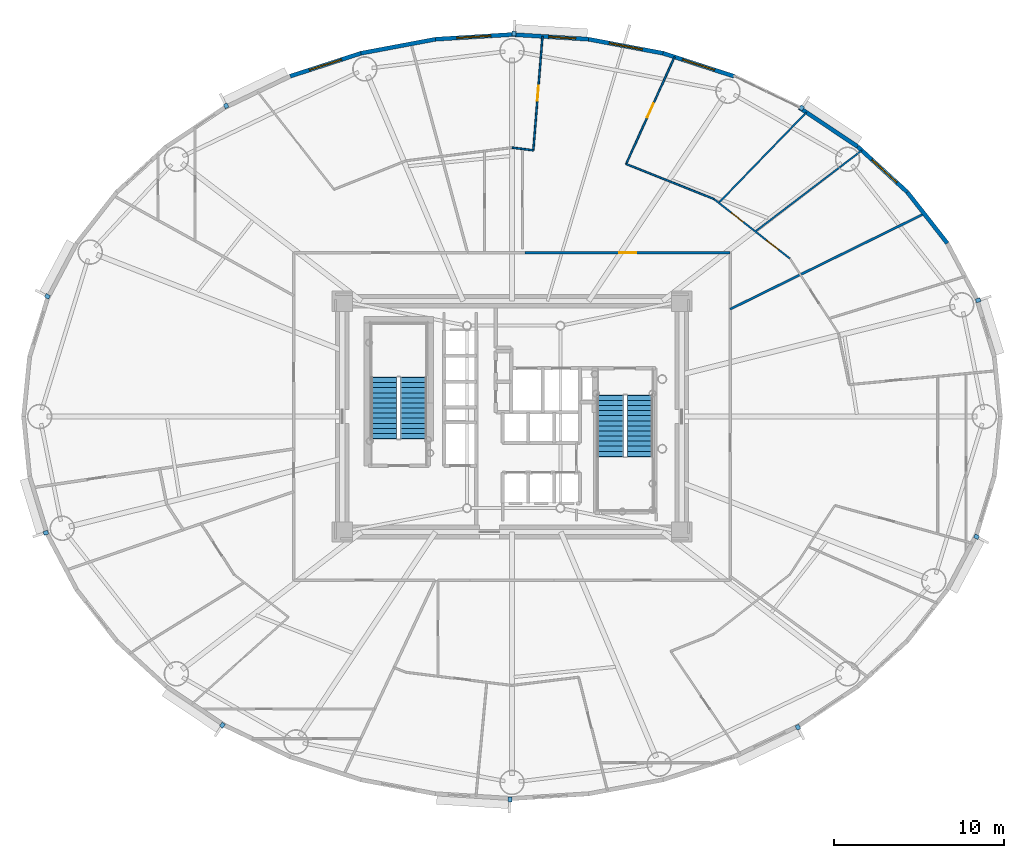
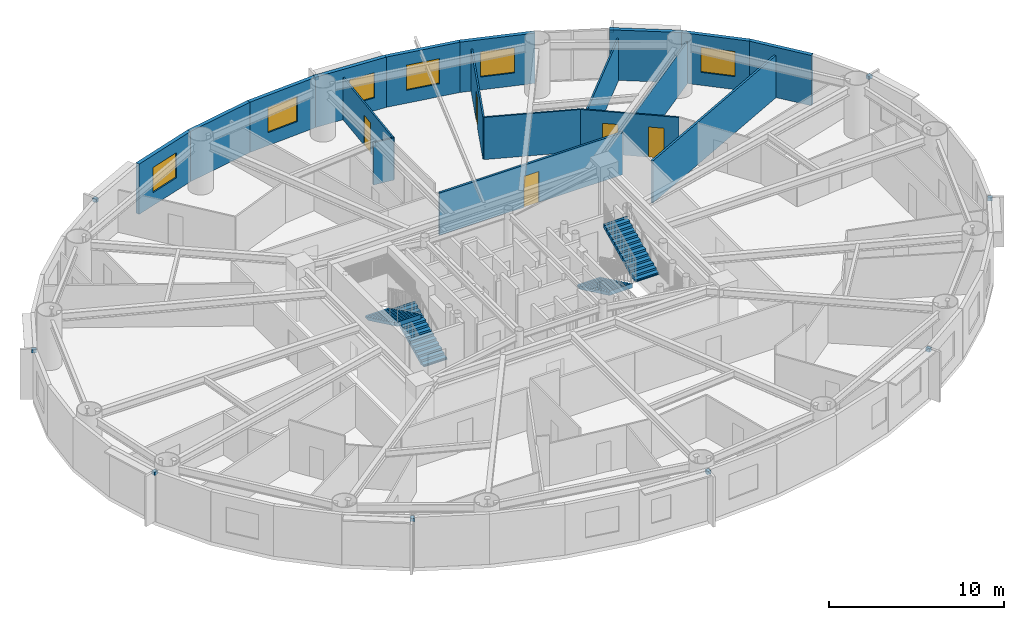
# One storey, part 11 of 16: 18 walls, 10 discrete accessories, 6 windows, 5 doors, 4 stair flights, 11 openings, 2 elements without a shape of their own.
"""IFC4 building model written with IfcOpenShell, lengths in metres."""

from ifc_helpers import new_model, si_unit, direction, frame, frame_2d, origin, origin_2d, place, context, subcontext, project, spatial, polyline, rectangle, outline, extrude, source, transform, mapped, material, layer, layer_set, type_object, element, fill, aggregate, save


model = new_model("IFC4")

# Units and contexts
model_context = context("Model", 3, precision=1e-05, world=origin(), true_north=direction((0.0, 1.0)))
body_context = subcontext(model_context, "Body", "Model", "MODEL_VIEW")
ifc_project = project(units=[si_unit("LENGTHUNIT", "METRE"), si_unit("AREAUNIT", "SQUARE_METRE"), si_unit("VOLUMEUNIT", "CUBIC_METRE"), si_unit("PLANEANGLEUNIT", "RADIAN"), si_unit("MASSUNIT", "GRAM", prefix="KILO")], contexts=[model_context])

# Site, building, storey
site_placement = place(None, origin())
site = spatial("IfcSite", under=ifc_project, at=site_placement, CompositionType="ELEMENT")
building_placement = place(site_placement, origin())
building = spatial("IfcBuilding", under=site, at=building_placement, Name="Linh Dai School and Residence Tower", CompositionType="ELEMENT")
storey_placement = place(building_placement, frame((0.0, 0.0, 138.449951171875)))
storey = spatial("IfcBuildingStorey", under=building, at=storey_placement, Name="L33", CompositionType="ELEMENT", Elevation=138.449951171875)

# Wall
ifc_material_1 = material(Name="Precast Concrete B45 (C35/45)", Category="concrete")
ifc_layer_1 = layer(ifc_material_1, 0.239990234375)
ifc_layer_set_1 = layer_set([ifc_layer_1], Name="Precast Concrete B45 (C35/45)")
wall_type_1 = type_object("IfcWallType", Name="EW-TC-240", PredefinedType="SOLIDWALL", material=ifc_layer_set_1)
wall_1_placement = place(storey_placement, frame((59.2890625, 40.216552734375, 0.0), z_axis=(0.0, 0.0, 1.0), x_axis=(0.616272103517, -0.787533297345, 0.0)))
element("IfcWall", 1, at=wall_1_placement, inside=storey, type_object=wall_type_1, Name="L33 Terracotta Exterior Wall 04", PredefinedType="SOLIDWALL", context=body_context, shape_type="SweptSolid", body=[
    extrude(rectangle(XDim=3.8232421875, YDim=0.239990234375, at=frame_2d((1.91162109375, 0.0))), origin(), (0.0, 0.0, 1.0), 3.5),
])

# Wall, opening, window
wall_2_placement = place(storey_placement, frame((56.3583984375, 42.9033203125, 0.0), z_axis=(0.0, 0.0, 1.0), x_axis=(0.737113356241, -0.675769117414, 0.0)))
wall_2 = element("IfcWall", 2, at=wall_2_placement, inside=storey, type_object=wall_type_1, Name="L33 Terracotta Exterior Wall 05", PredefinedType="SOLIDWALL", context=body_context, shape_type="SweptSolid", body=[
    extrude(rectangle(XDim=3.975830078125, YDim=0.239990234375, at=frame_2d((1.98779296875, 0.0))), origin(), (0.0, 0.0, 1.0), 3.5),
])
opening_1_placement = place(wall_2_placement, frame((1.140625, 0.0, 0.89990234375)))
opening_1 = element("IfcOpeningElement", 3, at=opening_1_placement, cuts=wall_2, Name="Opening W1", PredefinedType="OPENING", context=body_context, shape_type="SweptSolid", body=[
    extrude(rectangle(XDim=2.0, YDim=1.75, at=origin_2d()), frame((1.0, 0.1298828125, 0.875), z_axis=(0.0, -1.0, 0.0), x_axis=(1.0, 0.0, 0.0)), (0.0, 0.0, 1.0), 0.260009765625),
])
ifc_material_2 = material(Name="Double Low-E Insulated Glazing", Category="glass")
window_type_1 = type_object("IfcWindowType", Name="WN-RES-2000x1750", PartitioningType="DOUBLE_PANEL_VERTICAL", PredefinedType="WINDOW", material=ifc_material_2)
shared_shape_1 = source(origin(), body_context, "Body", "SweptSolid", [
    extrude(rectangle(XDim=2.0, YDim=1.75, at=origin_2d()), frame((1.0, 0.030029296875, 0.875), z_axis=(0.0, -1.0, 0.0), x_axis=(1.0, 0.0, 0.0)), (0.0, 0.0, 1.0), 0.06005859375),
])
window_1_placement = place(opening_1_placement, origin())
window_1 = element("IfcWindow", 4, at=window_1_placement, inside=storey, type_object=window_type_1, Name="L33 Exterior Window 05.1", OverallHeight=1.75, OverallWidth=2.0, PartitioningType="DOUBLE_PANEL_VERTICAL", PredefinedType="WINDOW", context=body_context, shape_type="MappedRepresentation", body=[
    mapped(shared_shape_1, transform((0.0, 0.0, 0.0), x_axis=(1.0, 0.0, 0.0), y_axis=(0.0, 1.0, 0.0), z_axis=(0.0, 0.0, 1.0), scale=1.0)),
])
fill(opening_1, window_1)

# Wall
wall_3_placement = place(storey_placement, frame((52.92529296875, 45.199462890625, 0.0), z_axis=(0.0, 0.0, 1.0), x_axis=(0.831221811447, -0.555940914284, 0.0)))
element("IfcWall", 5, at=wall_3_placement, inside=storey, type_object=wall_type_1, Name="L33 Terracotta Exterior Wall 06", PredefinedType="SOLIDWALL", context=body_context, shape_type="SweptSolid", body=[
    extrude(rectangle(XDim=4.130126953125, YDim=0.239990234375, at=frame_2d((2.06494140625, 0.0))), origin(), (0.0, 0.0, 1.0), 3.5),
])

# Wall, opening, window
wall_4_placement = place(storey_placement, frame((44.899658203125, 48.4013671875, 0.0), z_axis=(0.0, 0.0, 1.0), x_axis=(0.951211346073, -0.308540070495, 0.0)))
wall_4 = element("IfcWall", 6, at=wall_4_placement, inside=storey, type_object=wall_type_1, Name="L33 Terracotta Exterior Wall 08", PredefinedType="SOLIDWALL", context=body_context, shape_type="SweptSolid", body=[
    extrude(rectangle(XDim=4.388427734375, YDim=0.239990234375, at=frame_2d((2.1943359375, 0.0))), origin(), (0.0, 0.0, 1.0), 3.5),
])
opening_2_placement = place(wall_4_placement, frame((1.194091796875, 0.0, 0.89990234375)))
opening_2 = element("IfcOpeningElement", 7, at=opening_2_placement, cuts=wall_4, Name="Opening W1", PredefinedType="OPENING", context=body_context, shape_type="SweptSolid", body=[
    extrude(rectangle(XDim=2.0, YDim=1.75, at=origin_2d()), frame((1.0, 0.1298828125, 0.875), z_axis=(0.0, -1.0, 0.0), x_axis=(1.0, 0.0, 0.0)), (0.0, 0.0, 1.0), 0.260009765625),
])
window_2_placement = place(opening_2_placement, origin())
window_2 = element("IfcWindow", 8, at=window_2_placement, inside=storey, type_object=window_type_1, Name="L33 Exterior Window 08.1", OverallHeight=1.75, OverallWidth=2.0, PartitioningType="DOUBLE_PANEL_VERTICAL", PredefinedType="WINDOW", context=body_context, shape_type="MappedRepresentation", body=[
    mapped(shared_shape_1, transform((0.0, 0.0, 0.0), x_axis=(1.0, 0.0, 0.0), y_axis=(0.0, 1.0, 0.0), z_axis=(0.0, 0.0, 1.0), scale=1.0)),
])
fill(opening_2, window_2)

wall_5_placement = place(storey_placement, frame((40.505615234375, 49.227294921875, 0.0), z_axis=(0.0, 0.0, 1.0), x_axis=(0.982789252177, -0.184730305596, 0.0)))
wall_5 = element("IfcWall", 9, at=wall_5_placement, inside=storey, type_object=wall_type_1, Name="L33 Terracotta Exterior Wall 09", PredefinedType="SOLIDWALL", context=body_context, shape_type="SweptSolid", body=[
    extrude(rectangle(XDim=4.470947265625, YDim=0.239990234375, at=frame_2d((2.2353515625, 0.0))), origin(), (0.0, 0.0, 1.0), 3.5),
])
opening_3_placement = place(wall_5_placement, frame((1.235595703125, 0.0, 0.89990234375)))
opening_3 = element("IfcOpeningElement", 10, at=opening_3_placement, cuts=wall_5, Name="Opening W1", PredefinedType="OPENING", context=body_context, shape_type="SweptSolid", body=[
    extrude(rectangle(XDim=2.0, YDim=1.75, at=origin_2d()), frame((1.0, 0.1298828125, 0.875), z_axis=(0.0, -1.0, 0.0), x_axis=(1.0, 0.0, 0.0)), (0.0, 0.0, 1.0), 0.260009765625),
])
window_3_placement = place(opening_3_placement, origin())
window_3 = element("IfcWindow", 11, at=window_3_placement, inside=storey, type_object=window_type_1, Name="L33 Exterior Window 09.1", OverallHeight=1.75, OverallWidth=2.0, PartitioningType="DOUBLE_PANEL_VERTICAL", PredefinedType="WINDOW", context=body_context, shape_type="MappedRepresentation", body=[
    mapped(shared_shape_1, transform((0.0, 0.0, 0.0), x_axis=(1.0, 0.0, 0.0), y_axis=(0.0, 1.0, 0.0), z_axis=(0.0, 0.0, 1.0), scale=1.0)),
])
fill(opening_3, window_3)

wall_6_placement = place(storey_placement, frame((36.0, 49.5048828125, 0.0), z_axis=(0.0, 0.0, 1.0), x_axis=(0.998107531589, -0.061492726276, 0.0)))
wall_6 = element("IfcWall", 12, at=wall_6_placement, inside=storey, type_object=wall_type_1, Name="L33 Terracotta Exterior Wall 10", PredefinedType="SOLIDWALL", context=body_context, shape_type="SweptSolid", body=[
    extrude(rectangle(XDim=4.51416015625, YDim=0.239990234375, at=frame_2d((2.257080078125, 0.0))), origin(), (0.0, 0.0, 1.0), 3.5),
])
opening_4_placement = place(wall_6_placement, frame((2.161376953125, 0.0, 0.89990234375)))
opening_4 = element("IfcOpeningElement", 13, at=opening_4_placement, cuts=wall_6, Name="Opening W2", PredefinedType="OPENING", context=body_context, shape_type="SweptSolid", body=[
    extrude(rectangle(XDim=1.60009765625, YDim=1.75, at=origin_2d()), frame((0.800048828125, 0.1298828125, 0.875), z_axis=(0.0, -1.0, 0.0), x_axis=(1.0, 0.0, 0.0)), (0.0, 0.0, 1.0), 0.260009765625),
])
window_type_2 = type_object("IfcWindowType", Name="WN-RES-1600x1750", PartitioningType="DOUBLE_PANEL_VERTICAL", PredefinedType="WINDOW", material=ifc_material_2)
shared_shape_2 = source(origin(), body_context, "Body", "SweptSolid", [
    extrude(rectangle(XDim=1.60009765625, YDim=1.75, at=origin_2d()), frame((0.800048828125, 0.030029296875, 0.875), z_axis=(0.0, -1.0, 0.0), x_axis=(1.0, 0.0, 0.0)), (0.0, 0.0, 1.0), 0.06005859375),
])
window_4_placement = place(opening_4_placement, origin())
window_4 = element("IfcWindow", 14, at=window_4_placement, inside=storey, type_object=window_type_2, Name="L33 Exterior Window 10.1", OverallHeight=1.75, OverallWidth=1.60009765625, PartitioningType="DOUBLE_PANEL_VERTICAL", PredefinedType="WINDOW", context=body_context, shape_type="MappedRepresentation", body=[
    mapped(shared_shape_2, transform((0.0, 0.0, 0.0), x_axis=(1.0, 0.0, 0.0), y_axis=(0.0, 1.0, 0.0), z_axis=(0.0, 0.0, 1.0), scale=1.0)),
])
fill(opening_4, window_4)

wall_7_placement = place(storey_placement, frame((31.494384765625, 49.227294921875, 0.0), z_axis=(0.0, 0.0, 1.0), x_axis=(0.998107531589, 0.061492726276, 0.0)))
wall_7 = element("IfcWall", 15, at=wall_7_placement, inside=storey, type_object=wall_type_1, Name="L33 Terracotta Exterior Wall 11", PredefinedType="SOLIDWALL", context=body_context, shape_type="SweptSolid", body=[
    extrude(rectangle(XDim=4.51416015625, YDim=0.239990234375, at=frame_2d((2.257080078125, 0.0))), origin(), (0.0, 0.0, 1.0), 3.5),
])
opening_5_placement = place(wall_7_placement, frame((1.257080078125, 0.0, 0.89990234375)))
opening_5 = element("IfcOpeningElement", 16, at=opening_5_placement, cuts=wall_7, Name="Opening W1", PredefinedType="OPENING", context=body_context, shape_type="SweptSolid", body=[
    extrude(rectangle(XDim=2.0, YDim=1.75, at=origin_2d()), frame((1.0, 0.1298828125, 0.875), z_axis=(0.0, -1.0, 0.0), x_axis=(1.0, 0.0, 0.0)), (0.0, 0.0, 1.0), 0.260009765625),
])
window_5_placement = place(opening_5_placement, origin())
window_5 = element("IfcWindow", 17, at=window_5_placement, inside=storey, type_object=window_type_1, Name="L33 Exterior Window 11.1", OverallHeight=1.75, OverallWidth=2.0, PartitioningType="DOUBLE_PANEL_VERTICAL", PredefinedType="WINDOW", context=body_context, shape_type="MappedRepresentation", body=[
    mapped(shared_shape_1, transform((0.0, 0.0, 0.0), x_axis=(1.0, 0.0, 0.0), y_axis=(0.0, 1.0, 0.0), z_axis=(0.0, 0.0, 1.0), scale=1.0)),
])
fill(opening_5, window_5)

# Wall
wall_8_placement = place(storey_placement, frame((27.100341796875, 48.4013671875, 0.0), z_axis=(0.0, 0.0, 1.0), x_axis=(0.982789252177, 0.184730305596, 0.0)))
element("IfcWall", 18, at=wall_8_placement, inside=storey, type_object=wall_type_1, Name="L33 Terracotta Exterior Wall 12", PredefinedType="SOLIDWALL", context=body_context, shape_type="SweptSolid", body=[
    extrude(rectangle(XDim=4.470947265625, YDim=0.239990234375, at=frame_2d((2.2353515625, 0.0))), origin(), (0.0, 0.0, 1.0), 3.5),
])

# Wall, opening, window
wall_9_placement = place(storey_placement, frame((22.926025390625, 47.04736328125, 0.0), z_axis=(0.0, 0.0, 1.0), x_axis=(0.951211346073, 0.308540070495, 0.0)))
wall_9 = element("IfcWall", 19, at=wall_9_placement, inside=storey, type_object=wall_type_1, Name="L33 Terracotta Exterior Wall 13", PredefinedType="SOLIDWALL", context=body_context, shape_type="SweptSolid", body=[
    extrude(rectangle(XDim=4.388427734375, YDim=0.239990234375, at=frame_2d((2.1943359375, 0.0))), origin(), (0.0, 0.0, 1.0), 3.5),
])
opening_6_placement = place(wall_9_placement, frame((1.1943359375, 0.0, 0.89990234375)))
opening_6 = element("IfcOpeningElement", 20, at=opening_6_placement, cuts=wall_9, Name="Opening W1", PredefinedType="OPENING", context=body_context, shape_type="SweptSolid", body=[
    extrude(rectangle(XDim=2.0, YDim=1.75, at=origin_2d()), frame((1.0, 0.1298828125, 0.875), z_axis=(0.0, -1.0, 0.0), x_axis=(1.0, 0.0, 0.0)), (0.0, 0.0, 1.0), 0.260009765625),
])
window_6_placement = place(opening_6_placement, origin())
window_6 = element("IfcWindow", 21, at=window_6_placement, inside=storey, type_object=window_type_1, Name="L33 Exterior Window 13.1", OverallHeight=1.75, OverallWidth=2.0, PartitioningType="DOUBLE_PANEL_VERTICAL", PredefinedType="WINDOW", context=body_context, shape_type="MappedRepresentation", body=[
    mapped(shared_shape_1, transform((0.0, 0.0, 0.0), x_axis=(1.0, 0.0, 0.0), y_axis=(0.0, 1.0, 0.0), z_axis=(0.0, 0.0, 1.0), scale=1.0)),
])
fill(opening_6, window_6)

# Wall, opening, door
ifc_material_3 = material(Name="Autoclaved Aerated Concrete Blockwork", Category="masonry")
ifc_layer_2 = layer(ifc_material_3, 0.135009765625)
ifc_layer_set_2 = layer_set([ifc_layer_2], Name="Autoclaved Aerated Concrete Blockwork")
wall_type_2 = type_object("IfcWallType", Name="IW-CORR-135-EI90", PredefinedType="PARTITIONING", material=ifc_layer_set_2)
wall_10_placement = place(storey_placement, frame((36.773681640625, 36.64990234375, 0.0), z_axis=(0.0, 0.0, 1.0), x_axis=(1.0, 0.0, 0.0)))
wall_10 = element("IfcWall", 22, at=wall_10_placement, inside=storey, type_object=wall_type_2, Name="L33 Interior Partition Wall 052", PredefinedType="PARTITIONING", context=body_context, shape_type="SweptSolid", body=[
    extrude(rectangle(XDim=12.076416015625, YDim=0.135009765625, at=frame_2d((6.0380859375, 0.0))), origin(), (0.0, 0.0, 1.0), 2.93505859375),
])
opening_7_placement = place(wall_10_placement, frame((5.5380859375, 0.0, 0.0)))
opening_7 = element("IfcOpeningElement", 23, at=opening_7_placement, cuts=wall_10, Name="Opening D03", PredefinedType="OPENING", context=body_context, shape_type="SweptSolid", body=[
    extrude(rectangle(XDim=1.0, YDim=2.14990234375, at=origin_2d()), frame((0.5, 0.07763671875, 1.074951171875), z_axis=(0.0, -1.0, 0.0), x_axis=(1.0, 0.0, 0.0)), (0.0, 0.0, 1.0), 0.155029296875),
])
ifc_material_4 = material(Name="Fire-Rated Solid Timber Entrance Door", Category="wood")
door_type_1 = type_object("IfcDoorType", Name="DR-FLAT-1000x2150-FD60S", OperationType="NOTDEFINED", PredefinedType="DOOR", material=ifc_material_4)
shared_shape_3 = source(origin(), body_context, "Body", "SweptSolid", [
    extrude(rectangle(XDim=1.0, YDim=2.14990234375, at=origin_2d()), frame((0.5, 0.02490234375, 1.074951171875), z_axis=(0.0, -1.0, 0.0), x_axis=(1.0, 0.0, 0.0)), (0.0, 0.0, 1.0), 0.050048828125),
])
door_1_placement = place(opening_7_placement, origin())
door_1 = element("IfcDoor", 24, at=door_1_placement, inside=storey, type_object=door_type_1, Name="L33 U3304 Apartment Entrance Door", OperationType="SINGLE_SWING_LEFT", OverallHeight=2.14990234375, OverallWidth=1.0, PredefinedType="DOOR", context=body_context, shape_type="MappedRepresentation", body=[
    mapped(shared_shape_3, transform((0.0, 0.0, 0.0), x_axis=(1.0, 0.0, 0.0), y_axis=(0.0, 1.0, 0.0), z_axis=(0.0, 0.0, 1.0), scale=1.0)),
])
fill(opening_7, door_1)

# Walls
wall_11_placement = place(storey_placement, frame((48.85009765625, 33.322998046875, 0.0), z_axis=(0.0, 0.0, 1.0), x_axis=(0.897255437174, 0.44151181237, 0.0)))
element("IfcWall", 25, at=wall_11_placement, inside=storey, type_object=wall_type_2, Name="L33 Interior Partition Wall 079", PredefinedType="PARTITIONING", context=body_context, shape_type="SweptSolid", body=[
    extrude(rectangle(XDim=12.745849609375, YDim=0.135009765625, at=frame_2d((6.373046875, 0.0))), origin(), (0.0, 0.0, 1.0), 2.93505859375),
])
ifc_material_5 = material(Name="Gypsum Plasterboard Acoustic Stud Partition", Category="masonry")
ifc_layer_3 = layer(ifc_material_5, 0.10009765625)
ifc_layer_set_3 = layer_set([ifc_layer_3], Name="Gypsum Plasterboard Acoustic Stud Partition")
wall_type_3 = type_object("IfcWallType", Name="IW-UNIT-100", PredefinedType="PARTITIONING", material=ifc_layer_set_3)
wall_12_placement = place(storey_placement, frame((36.0, 42.841064453125, 0.0), z_axis=(0.0, 0.0, 1.0), x_axis=(0.992384274499, -0.123180565541, 0.0)))
element("IfcWall", 26, at=wall_12_placement, inside=storey, type_object=wall_type_3, Name="L33 Interior Partition Wall 050", PredefinedType="PARTITIONING", context=body_context, shape_type="SweptSolid", body=[
    extrude(rectangle(XDim=1.2666015625, YDim=0.10009765625, at=frame_2d((0.63330078125, 0.0))), origin(), (0.0, 0.0, 1.0), 2.93505859375),
])

# Wall, opening, door
wall_13_placement = place(storey_placement, frame((37.257568359375, 42.68505859375, 0.0), z_axis=(0.0, 0.0, 1.0), x_axis=(0.079919529762, 0.9968013186, 0.0)))
wall_13 = element("IfcWall", 27, at=wall_13_placement, inside=storey, type_object=wall_type_3, Name="L33 Interior Partition Wall 055", PredefinedType="PARTITIONING", context=body_context, shape_type="SweptSolid", body=[
    extrude(rectangle(XDim=6.73583984375, YDim=0.10009765625, at=frame_2d((3.367919921875, 0.0))), origin(), (0.0, 0.0, 1.0), 2.93505859375),
])
opening_8_placement = place(wall_13_placement, frame((2.91796875, 0.0, 0.0)))
opening_8 = element("IfcOpeningElement", 28, at=opening_8_placement, cuts=wall_13, Name="Opening D05", PredefinedType="OPENING", context=body_context, shape_type="SweptSolid", body=[
    extrude(rectangle(XDim=0.89990234375, YDim=2.10009765625, at=origin_2d()), frame((0.449951171875, 0.06005859375, 1.050048828125), z_axis=(0.0, -1.0, 0.0), x_axis=(1.0, 0.0, 0.0)), (0.0, 0.0, 1.0), 0.1201171875),
])
ifc_material_6 = material(Name="Engineered Timber Internal Door", Category="wood")
door_type_2 = type_object("IfcDoorType", Name="DR-INT-900x2100", OperationType="NOTDEFINED", PredefinedType="DOOR", material=ifc_material_6)
shared_shape_4 = source(origin(), body_context, "Body", "SweptSolid", [
    extrude(rectangle(XDim=0.89990234375, YDim=2.10009765625, at=origin_2d()), frame((0.449951171875, 0.02490234375, 1.050048828125), z_axis=(0.0, -1.0, 0.0), x_axis=(1.0, 0.0, 0.0)), (0.0, 0.0, 1.0), 0.050048828125),
])
door_2_placement = place(opening_8_placement, origin())
door_2 = element("IfcDoor", 29, at=door_2_placement, inside=storey, type_object=door_type_2, Name="L33 Apartment U3304 Principal Bedroom 3 Door", OperationType="SINGLE_SWING_LEFT", OverallHeight=2.10009765625, OverallWidth=0.89990234375, PredefinedType="DOOR", context=body_context, shape_type="MappedRepresentation", body=[
    mapped(shared_shape_4, transform((0.0, 0.0, 0.0), x_axis=(1.0, 0.0, 0.0), y_axis=(0.0, 1.0, 0.0), z_axis=(0.0, 0.0, 1.0), scale=1.0)),
])
fill(opening_8, door_2)

wall_14_placement = place(storey_placement, frame((42.724365234375, 41.876953125, 0.0), z_axis=(0.0, 0.0, 1.0), x_axis=(0.411868207503, 0.911243425023, 0.0)))
wall_14 = element("IfcWall", 30, at=wall_14_placement, inside=storey, type_object=wall_type_3, Name="L33 Interior Partition Wall 069", PredefinedType="PARTITIONING", context=body_context, shape_type="SweptSolid", body=[
    extrude(rectangle(XDim=6.924560546875, YDim=0.10009765625, at=frame_2d((3.46240234375, 0.0))), origin(), (0.0, 0.0, 1.0), 2.93505859375),
])
opening_9_placement = place(wall_14_placement, frame((3.01220703125, 0.0, 0.0)))
opening_9 = element("IfcOpeningElement", 31, at=opening_9_placement, cuts=wall_14, Name="Opening D05", PredefinedType="OPENING", context=body_context, shape_type="SweptSolid", body=[
    extrude(rectangle(XDim=0.89990234375, YDim=2.10009765625, at=origin_2d()), frame((0.449951171875, 0.06005859375, 1.050048828125), z_axis=(0.0, -1.0, 0.0), x_axis=(1.0, 0.0, 0.0)), (0.0, 0.0, 1.0), 0.1201171875),
])
door_3_placement = place(opening_9_placement, origin())
door_3 = element("IfcDoor", 32, at=door_3_placement, inside=storey, type_object=door_type_2, Name="L33 Apartment U3304 Principal Bedroom 2 Door", OperationType="SINGLE_SWING_RIGHT", OverallHeight=2.10009765625, OverallWidth=0.89990234375, PredefinedType="DOOR", context=body_context, shape_type="MappedRepresentation", body=[
    mapped(shared_shape_4, transform((0.0, 0.0, 0.0), x_axis=(1.0, 0.0, 0.0), y_axis=(0.0, 1.0, 0.0), z_axis=(0.0, 0.0, 1.0), scale=1.0)),
])
fill(opening_9, door_3)

# Wall
wall_15_placement = place(storey_placement, frame((42.724365234375, 41.876953125, 0.0), z_axis=(0.0, 0.0, 1.0), x_axis=(0.928806258388, -0.370565695093, 0.0)))
element("IfcWall", 33, at=wall_15_placement, inside=storey, type_object=wall_type_3, Name="L33 Interior Partition Wall 070", PredefinedType="PARTITIONING", context=body_context, shape_type="SweptSolid", body=[
    extrude(rectangle(XDim=5.5625, YDim=0.10009765625, at=frame_2d((2.78125, 0.0))), origin(), (0.0, 0.0, 1.0), 2.93505859375),
])

# Wall, openings, doors
wall_16_placement = place(storey_placement, frame((47.890869140625, 39.815673828125, 0.0), z_axis=(0.0, 0.0, 1.0), x_axis=(0.787347250317, -0.61650977885, 0.0)))
wall_16 = element("IfcWall", 34, at=wall_16_placement, inside=storey, type_object=wall_type_3, Name="L33 Interior Partition Wall 075", PredefinedType="PARTITIONING", context=body_context, shape_type="SweptSolid", body=[
    extrude(rectangle(XDim=5.683349609375, YDim=0.10009765625, at=frame_2d((2.841796875, 0.0))), origin(), (0.0, 0.0, 1.0), 2.93505859375),
])
opening_10_placement = place(wall_16_placement, frame((3.923095703125, 0.0, 0.0)))
opening_10 = element("IfcOpeningElement", 35, at=opening_10_placement, cuts=wall_16, Name="Opening D05", PredefinedType="OPENING", context=body_context, shape_type="SweptSolid", body=[
    extrude(rectangle(XDim=0.89990234375, YDim=2.10009765625, at=origin_2d()), frame((0.449951171875, 0.06005859375, 1.050048828125), z_axis=(0.0, -1.0, 0.0), x_axis=(1.0, 0.0, 0.0)), (0.0, 0.0, 1.0), 0.1201171875),
])
opening_11_placement = place(wall_16_placement, frame((1.2861328125, 0.0, 0.0)))
opening_11 = element("IfcOpeningElement", 36, at=opening_11_placement, cuts=wall_16, Name="Opening D05", PredefinedType="OPENING", context=body_context, shape_type="SweptSolid", body=[
    extrude(rectangle(XDim=0.89990234375, YDim=2.10009765625, at=origin_2d()), frame((0.449951171875, 0.06005859375, 1.050048828125), z_axis=(0.0, -1.0, 0.0), x_axis=(1.0, 0.0, 0.0)), (0.0, 0.0, 1.0), 0.1201171875),
])
door_4_placement = place(opening_10_placement, origin())
door_4 = element("IfcDoor", 37, at=door_4_placement, inside=storey, type_object=door_type_2, Name="L33 Apartment U3304 Principal Bedroom 1 Door", OperationType="SINGLE_SWING_RIGHT", OverallHeight=2.10009765625, OverallWidth=0.89990234375, PredefinedType="DOOR", context=body_context, shape_type="MappedRepresentation", body=[
    mapped(shared_shape_4, transform((0.0, 0.0, 0.0), x_axis=(1.0, 0.0, 0.0), y_axis=(0.0, 1.0, 0.0), z_axis=(0.0, 0.0, 1.0), scale=1.0)),
])
fill(opening_10, door_4)
door_5_placement = place(opening_11_placement, origin())
door_5 = element("IfcDoor", 38, at=door_5_placement, inside=storey, type_object=door_type_2, Name="L33 Apartment U3304 Study Door", OperationType="SINGLE_SWING_LEFT", OverallHeight=2.10009765625, OverallWidth=0.89990234375, PredefinedType="DOOR", context=body_context, shape_type="MappedRepresentation", body=[
    mapped(shared_shape_4, transform((0.0, 0.0, 0.0), x_axis=(1.0, 0.0, 0.0), y_axis=(0.0, 1.0, 0.0), z_axis=(0.0, 0.0, 1.0), scale=1.0)),
])
fill(opening_11, door_5)

# Walls
wall_17_placement = place(storey_placement, frame((48.181884765625, 39.587890625, 0.0), z_axis=(0.0, 0.0, 1.0), x_axis=(0.695422522839, 0.718601081775, 0.0)))
element("IfcWall", 39, at=wall_17_placement, inside=storey, type_object=wall_type_3, Name="L33 Interior Partition Wall 076", PredefinedType="PARTITIONING", context=body_context, shape_type="SweptSolid", body=[
    extrude(rectangle(XDim=7.42578125, YDim=0.10009765625, at=frame_2d((3.712890625, 0.0))), origin(), (0.0, 0.0, 1.0), 2.93505859375),
])
wall_18_placement = place(storey_placement, frame((50.333740234375, 37.90283203125, 0.0), z_axis=(0.0, 0.0, 1.0), x_axis=(0.795918180565, 0.60540420369, 0.0)))
element("IfcWall", 40, at=wall_18_placement, inside=storey, type_object=wall_type_3, Name="L33 Interior Partition Wall 080", PredefinedType="PARTITIONING", context=body_context, shape_type="SweptSolid", body=[
    extrude(rectangle(XDim=7.887451171875, YDim=0.10009765625, at=frame_2d((3.94384765625, 0.0))), origin(), (0.0, 0.0, 1.0), 2.93505859375),
])

# Stair, stair flights
ifc_material_7 = material(Name="Concrete B45 (C35/45)", Category="concrete")
stair_type = type_object("IfcStairType", Name="ST-DOG-1550-R1442", PredefinedType="HALF_TURN_STAIR", material=ifc_material_7)
stair_1_placement = place(storey_placement, origin())
stair_1 = element("IfcStair", 41, at=stair_1_placement, inside=storey, type_object=stair_type, Name="L33 Core Smokeproof Exit Stair ST1", PredefinedType="HALF_TURN_STAIR")
stair_flight_type = type_object("IfcStairFlightType", Name="STF-STR-1550-R1442", PredefinedType="STRAIGHT", material=ifc_material_7)
shared_shape_5 = source(origin(), body_context, "Body", "SweptSolid", [
    extrude(outline(polyline([(-0.02490234375, 0.0), (-0.02490234375, 0.06005859375), (0.0, 0.06005859375), (0.0, 0.144287109375), (0.300048828125, 0.144287109375), (0.300048828125, 0.28857421875), (0.60009765625, 0.28857421875), (0.60009765625, 0.4326171875), (0.89990234375, 0.4326171875), (0.89990234375, 0.576904296875), (1.199951171875, 0.576904296875), (1.199951171875, 0.72119140625), (1.5, 0.72119140625), (1.5, 0.865478515625), (1.800048828125, 0.865478515625), (1.800048828125, 1.009521484375), (2.10009765625, 1.009521484375), (2.10009765625, 1.15380859375), (2.39990234375, 1.15380859375), (2.39990234375, 1.298095703125), (2.699951171875, 1.298095703125), (2.699951171875, 1.4423828125), (3.0, 1.4423828125), (3.0, 1.58642578125), (3.300048828125, 1.58642578125), (3.300048828125, 1.730712890625), (3.60009765625, 1.730712890625), (3.60009765625, 1.875), (3.625, 1.875), (3.625, 1.564453125), (3.60009765625, 1.564453125), (0.345947265625, 0.0), (-0.02490234375, 0.0)])), frame((0.0, 0.77490234375, 0.0), z_axis=(0.0, -1.0, 0.0), x_axis=(1.0, 0.0, 0.0)), (0.0, 0.0, 1.0), 1.550048828125),
])
stair_flight_1_placement = place(storey_placement, frame((30.205078125, 25.699951171875, 0.0), z_axis=(0.0, 0.0, 1.0), x_axis=(0.0, 1.0, 0.0)))
stair_flight_1 = element("IfcStairFlight", 42, at=stair_flight_1_placement, type_object=stair_flight_type, Name="ST1 flight 1", NumberOfRisers=13, NumberOfTreads=12, PredefinedType="STRAIGHT", RiserHeight=0.144230769, TreadLength=0.3, context=body_context, shape_type="MappedRepresentation", body=[
    mapped(shared_shape_5, transform((0.0, 0.0, 0.0), x_axis=(1.0, 0.0, 0.0), y_axis=(0.0, 1.0, 0.0), z_axis=(0.0, 0.0, 1.0), scale=1.0)),
])
stair_flight_2_placement = place(storey_placement, frame((28.455078125, 29.300048828125, 1.875), z_axis=(0.0, 0.0, 1.0), x_axis=(0.0, -1.0, 0.0)))
stair_flight_2 = element("IfcStairFlight", 43, at=stair_flight_2_placement, type_object=stair_flight_type, Name="ST1 flight 2", NumberOfRisers=13, NumberOfTreads=12, PredefinedType="STRAIGHT", RiserHeight=0.144230769, TreadLength=0.3, context=body_context, shape_type="MappedRepresentation", body=[
    mapped(shared_shape_5, transform((0.0, 0.0, 0.0), x_axis=(1.0, 0.0, 0.0), y_axis=(0.0, 1.0, 0.0), z_axis=(0.0, 0.0, 1.0), scale=1.0)),
])
aggregate(stair_1, [stair_flight_1, stair_flight_2])

stair_2_placement = place(storey_placement, origin())
stair_2 = element("IfcStair", 44, at=stair_2_placement, inside=storey, type_object=stair_type, Name="L33 Core Smokeproof Exit Stair ST2", PredefinedType="HALF_TURN_STAIR")
stair_flight_3_placement = place(storey_placement, frame((41.794921875, 28.25, 0.0), z_axis=(0.0, 0.0, 1.0), x_axis=(0.0, -1.0, 0.0)))
stair_flight_3 = element("IfcStairFlight", 45, at=stair_flight_3_placement, type_object=stair_flight_type, Name="ST2 flight 1", NumberOfRisers=13, NumberOfTreads=12, PredefinedType="STRAIGHT", RiserHeight=0.144230769, TreadLength=0.3, context=body_context, shape_type="MappedRepresentation", body=[
    mapped(shared_shape_5, transform((0.0, 0.0, 0.0), x_axis=(1.0, 0.0, 0.0), y_axis=(0.0, 1.0, 0.0), z_axis=(0.0, 0.0, 1.0), scale=1.0)),
])
stair_flight_4_placement = place(storey_placement, frame((43.544921875, 24.64990234375, 1.875), z_axis=(0.0, 0.0, 1.0), x_axis=(0.0, 1.0, 0.0)))
stair_flight_4 = element("IfcStairFlight", 46, at=stair_flight_4_placement, type_object=stair_flight_type, Name="ST2 flight 2", NumberOfRisers=13, NumberOfTreads=12, PredefinedType="STRAIGHT", RiserHeight=0.144230769, TreadLength=0.3, context=body_context, shape_type="MappedRepresentation", body=[
    mapped(shared_shape_5, transform((0.0, 0.0, 0.0), x_axis=(1.0, 0.0, 0.0), y_axis=(0.0, 1.0, 0.0), z_axis=(0.0, 0.0, 1.0), scale=1.0)),
])
aggregate(stair_2, [stair_flight_3, stair_flight_4])

# Discrete accessories
ifc_material_8 = material(Name="Structural Steel S355JR", Category="steel")
discrete_accessory_type = type_object("IfcDiscreteAccessoryType", Name="ACC-BRK-S355", PredefinedType="BRACKET", material=ifc_material_8)
shared_shape_6 = source(origin(), body_context, "Body", "SweptSolid", [
    extrude(rectangle(XDim=0.280029296875, YDim=0.239990234375, at=origin_2d()), origin(), (0.0, 0.0, 1.0), 0.219970703125),
])
for number, where, z_axis, x_axis, name in (
    (47, (63.462646484375, 33.847900390625, 3.25), (0.0, 0.0, 1.0), (0.956071511028, 0.293133528962, 0.0), "L33 Facade Frame Anchor Bracket 02"),
    (48, (53.058349609375, 45.1826171875, 3.25), (0.0, 0.0, 1.0), (0.555913198527, 0.831240347736, 0.0), "L33 Facade Frame Anchor Bracket 06"),
    (49, (36.12353515625, 49.5576171875, 3.25), (0.0, 0.0, 1.0), (0.061509255091, 0.998106513123, 0.0), "L33 Facade Frame Anchor Bracket 10"),
    (50, (19.156982421875, 45.305419921875, 3.25), (0.0, 0.0, 1.0), (-0.432617589064, 0.901577518371, 0.0), "L33 Facade Frame Anchor Bracket 14"),
    (51, (8.633056640625, 34.079345703125, 3.25), (0.0, 0.0, 1.0), (-0.883942180016, 0.467596217252, 0.0), "L33 Facade Frame Anchor Bracket 18"),
    (52, (8.537353515625, 20.152099609375, 3.25), (0.0, 0.0, 1.0), (-0.956071511028, -0.293133528962, 0.0), "L33 Facade Frame Anchor Bracket 22"),
    (53, (18.941650390625, 8.8173828125, 3.25), (0.0, 0.0, 1.0), (-0.555913198527, -0.831240347736, 0.0), "L33 Facade Frame Anchor Bracket 26"),
    (54, (35.87646484375, 4.4423828125, 3.25), (0.0, 0.0, 1.0), (-0.061509255091, -0.998106513123, 0.0), "L33 Facade Frame Anchor Bracket 30"),
    (55, (52.843017578125, 8.694580078125, 3.25), (0.0, 0.0, 1.0), (0.432617589064, -0.901577518371, 0.0), "L33 Facade Frame Anchor Bracket 34"),
    (56, (63.366943359375, 19.920654296875, 3.25), (0.0, 0.0, 1.0), (0.883942180016, -0.467596217252, 0.0), "L33 Facade Frame Anchor Bracket 38"),
):
    element("IfcDiscreteAccessory", number, at=place(storey_placement, frame(where, z_axis=z_axis, x_axis=x_axis)), inside=storey, type_object=discrete_accessory_type, Name=name, PredefinedType="BRACKET", context=body_context, shape_type="MappedRepresentation", body=[
        mapped(shared_shape_6, transform((0.0, 0.0, 0.0), x_axis=(1.0, 0.0, 0.0), y_axis=(0.0, 1.0, 0.0), z_axis=(0.0, 0.0, 1.0), scale=1.0)),
    ])

save(model, "model.ifc")
